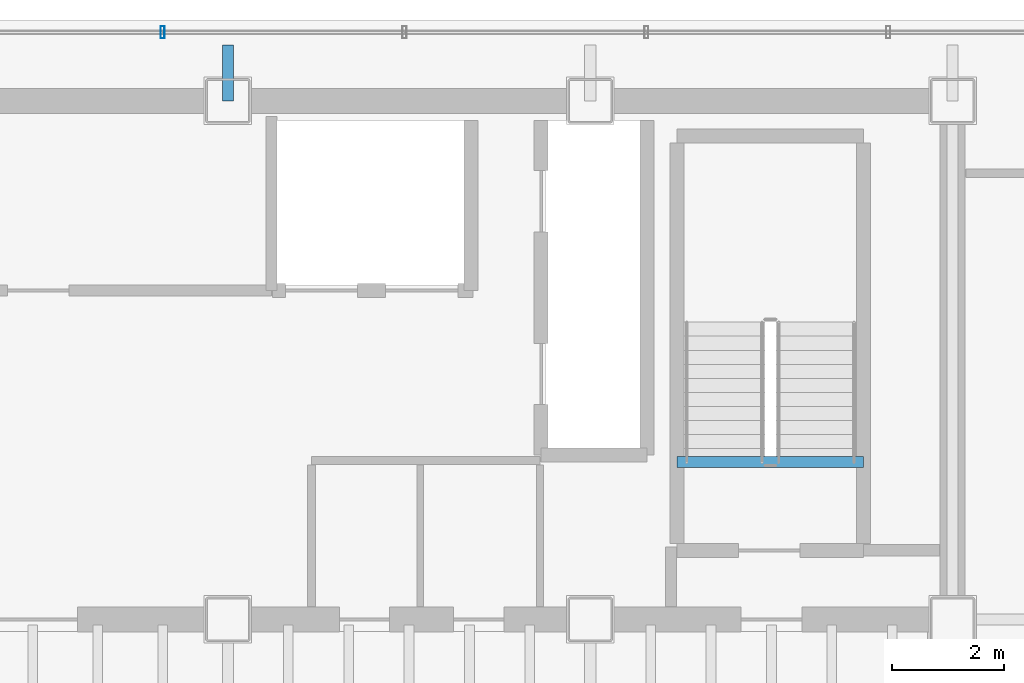
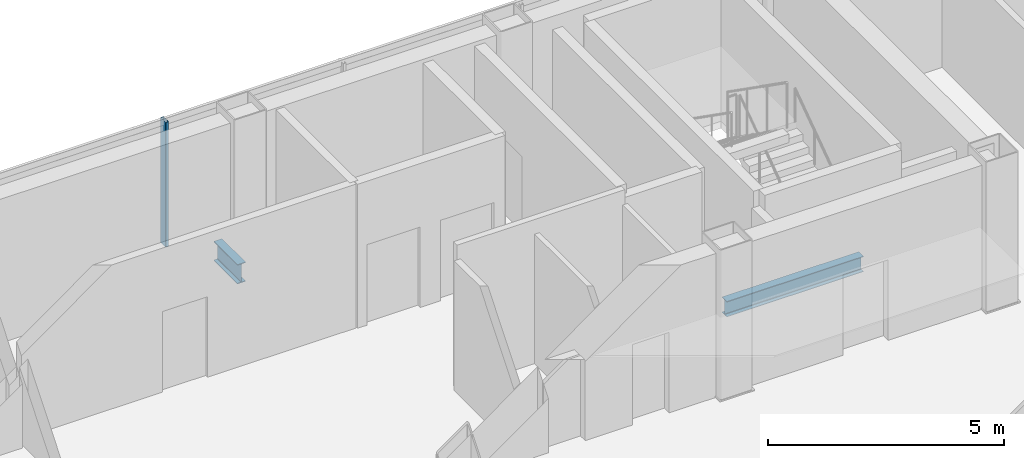
# One storey, part 7 of 15: 2 beams, 1 member, 1 element without a shape of its own.
"""IFC4 building model written with IfcOpenShell, lengths in metres."""

from ifc_helpers import new_model, si_unit, direction, frame, origin, origin_2d, place, context, subcontext, project, spatial, hollow_rectangle, i_section, extrude, material, material_profile, profile_set, type_object, element, aggregate, save


model = new_model("IFC4")

# Units and contexts
model_context = context("Model", 3, precision=1e-05, world=origin(), true_north=direction((0.0, 1.0)))
body_context = subcontext(model_context, "Body", "Model", "MODEL_VIEW")
ifc_project = project(units=[si_unit("LENGTHUNIT", "METRE"), si_unit("AREAUNIT", "SQUARE_METRE"), si_unit("VOLUMEUNIT", "CUBIC_METRE"), si_unit("PLANEANGLEUNIT", "RADIAN"), si_unit("MASSUNIT", "GRAM", prefix="KILO")], contexts=[model_context])

# Site, building, storey
site_placement = place(None, origin())
site = spatial("IfcSite", under=ifc_project, at=site_placement, CompositionType="ELEMENT")
building_placement = place(site_placement, origin())
building = spatial("IfcBuilding", under=site, at=building_placement, Name="Noeulbin Bourse Tower", CompositionType="ELEMENT")
storey_placement = place(building_placement, frame((0.0, 0.0, 215.0)))
storey = spatial("IfcBuildingStorey", under=building, at=storey_placement, Name="L53", CompositionType="ELEMENT", Elevation=215.0)

# Beams
ifc_material_1 = material(Name="Steel S355", Category="steel")
ifc_material_profile_1 = material_profile(ifc_material_1, i_section(OverallWidth=0.199951171875, OverallDepth=0.5, WebThickness=0.010009765625, FlangeThickness=0.01611328125, FilletRadius=0.02001953125, at=origin_2d()), Name="H-500x200x10x16", Category="LoadBearing")
ifc_profile_set_1 = profile_set([ifc_material_profile_1], Name="Steel S355")
beam_type_1 = type_object("IfcBeamType", Name="BM-GRD-500", PredefinedType="USERDEFINED", material=ifc_profile_set_1)
beam_1_placement = place(storey_placement, frame((31.0, 38.300048828125, -0.429931640625), z_axis=(0.0, 1.0, 0.0), x_axis=(-1.0, 0.0, 0.0)))
element("IfcBeam", 1, at=beam_1_placement, inside=storey, type_object=beam_type_1, Name="Tower Primary Girder NS L53-3.4", ObjectType="GIRDER", PredefinedType="USERDEFINED", context=body_context, shape_type="SweptSolid", body=[
    extrude(i_section(OverallWidth=0.199951171875, OverallDepth=0.5, WebThickness=0.010009765625, FlangeThickness=0.01611328125, FilletRadius=0.02001953125, at=origin_2d()), origin(), (0.0, 0.0, 1.0), 1.0),
])
ifc_material_profile_2 = material_profile(ifc_material_1, i_section(OverallWidth=0.199951171875, OverallDepth=0.39990234375, WebThickness=0.008056640625, FlangeThickness=0.012939453125, FilletRadius=0.01611328125, at=origin_2d()), Name="H-400x200x8x13", Category="LoadBearing")
ifc_profile_set_2 = profile_set([ifc_material_profile_2], Name="Steel S355")
beam_type_2 = type_object("IfcBeamType", Name="BM-SEC-400", PredefinedType="BEAM", material=ifc_profile_set_2)
beam_2_placement = place(storey_placement, frame((39.06005859375, 31.820068359375, -0.199951171875), z_axis=(1.0, 0.0, 0.0), x_axis=(0.0, 1.0, 0.0)))
element("IfcBeam", 2, at=beam_2_placement, inside=storey, type_object=beam_type_2, Name="Stair Threshold Trimmer Beam ST2-L53", PredefinedType="BEAM", context=body_context, shape_type="SweptSolid", body=[
    extrude(i_section(OverallWidth=0.199951171875, OverallDepth=0.39990234375, WebThickness=0.008056640625, FlangeThickness=0.012939453125, FilletRadius=0.01611328125, at=origin_2d()), origin(), (0.0, 0.0, 1.0), 3.33984375),
])

# Curtain wall, member
ifc_material_2 = material(Name="High-Selectivity Low-Iron Glazing", Category="glass")
curtain_wall_type = type_object("IfcCurtainWallType", Name="CW-SYS-4", PredefinedType="NOTDEFINED", material=ifc_material_2)
curtain_wall_placement = place(storey_placement, origin())
curtain_wall = element("IfcCurtainWall", 3, at=curtain_wall_placement, inside=storey, type_object=curtain_wall_type, Name="Unitised Curtain Wall CW-L53-N", PredefinedType="NOTDEFINED")
ifc_material_3 = material(Name="Anodised Aluminium 6063-T6", Category="aluminium")
ifc_material_profile_3 = material_profile(ifc_material_3, hollow_rectangle(XDim=0.074951171875, YDim=0.219970703125, WallThickness=0.0048828125, InnerFilletRadius=0.00244140625, OuterFilletRadius=0.0048828125, at=origin_2d()), Name="ALU-MULL-75x220x5", Category="LoadBearing")
ifc_profile_set_3 = profile_set([ifc_material_profile_3], Name="Anodised Aluminium 6063-T6")
member_type = type_object("IfcMemberType", Name="CW-SYS-4-MUL", PredefinedType="MULLION", material=ifc_profile_set_3)
member_placement = place(storey_placement, frame((29.8310546875, 39.530029296875, -0.02001953125), z_axis=(0.0, 0.0, 1.0), x_axis=(1.0, 0.0, 0.0)))
member = element("IfcMember", 4, at=member_placement, type_object=member_type, Name="Curtain Wall Mullion CW-L53-N-M04", PredefinedType="MULLION", context=body_context, shape_type="SweptSolid", body=[
    extrude(hollow_rectangle(XDim=0.074951171875, YDim=0.219970703125, WallThickness=0.0048828125, InnerFilletRadius=0.00244140625, OuterFilletRadius=0.0048828125, at=origin_2d()), origin(), (0.0, 0.0, 1.0), 3.219970703125),
])
aggregate(curtain_wall, [member])

save(model, "model.ifc")
